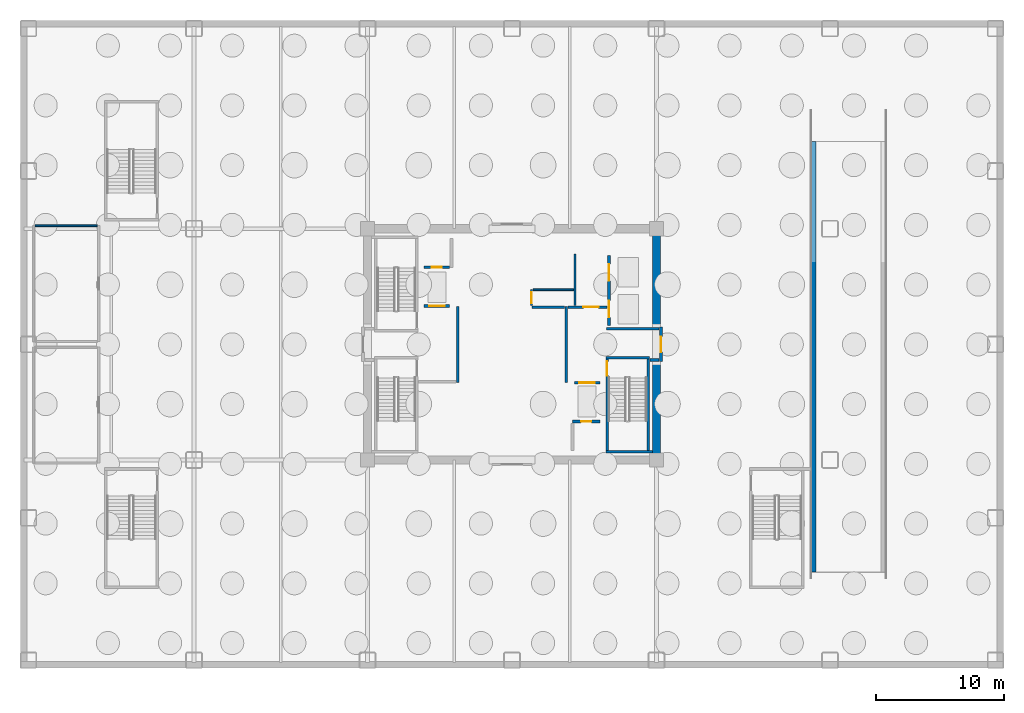
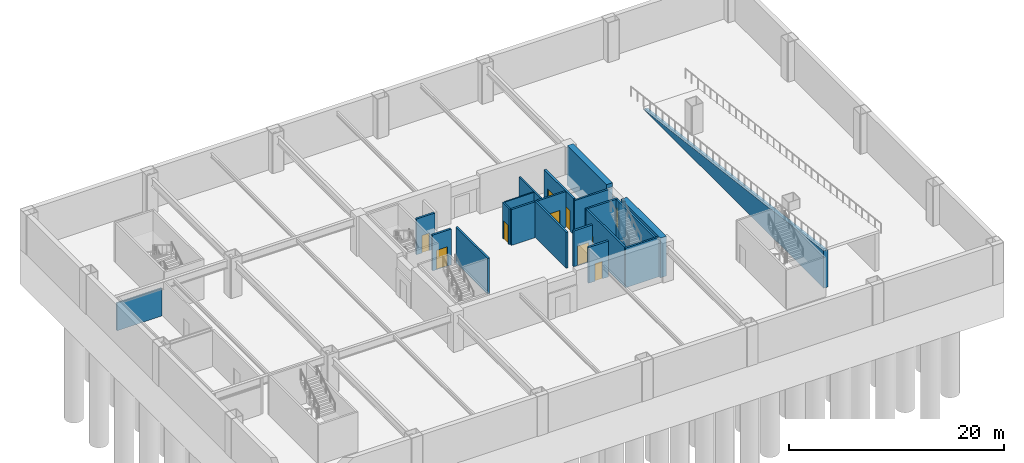
# One storey, part 5 of 11: 23 walls, 10 doors, 10 openings.
"""IFC4 building model written with IfcOpenShell, lengths in metres."""

from ifc_helpers import new_model, si_unit, direction, frame, frame_2d, origin, place, context, subcontext, project, spatial, polyline, rectangle, outline, extrude, source, transform, mapped, material, layer, layer_set, type_object, element, fill, save


model = new_model("IFC4")

# Units and contexts
model_context = context("Model", 3, precision=1e-05, world=origin(), true_north=direction((0.0, 1.0)))
body_context = subcontext(model_context, "Body", "Model", "MODEL_VIEW")
ifc_project = project(units=[si_unit("LENGTHUNIT", "METRE"), si_unit("AREAUNIT", "SQUARE_METRE"), si_unit("VOLUMEUNIT", "CUBIC_METRE"), si_unit("PLANEANGLEUNIT", "RADIAN"), si_unit("MASSUNIT", "GRAM", prefix="KILO")], contexts=[model_context])

# Site, building, storey
site_placement = place(None, origin())
site = spatial("IfcSite", under=ifc_project, at=site_placement, CompositionType="ELEMENT")
building_placement = place(site_placement, origin())
building = spatial("IfcBuilding", under=site, at=building_placement, Name="Nefas-Gora Pilgrimage Tower", CompositionType="ELEMENT")
storey_placement = place(building_placement, frame((0.0, 0.0, -9.0)))
storey = spatial("IfcBuildingStorey", under=building, at=storey_placement, Name="B02", CompositionType="ELEMENT", Elevation=-9.0)

# Walls
ifc_material_1 = material(Name="Concrete C45/55", Category="concrete")
ifc_layer_1 = layer(ifc_material_1, 0.449951171875)
ifc_layer_set_1 = layer_set([ifc_layer_1], Name="Concrete C45/55")
wall_type_1 = type_object("IfcWallType", Name="SW-RAMP-450", PredefinedType="SOLIDWALL", material=ifc_layer_set_1)
wall_1_placement = place(storey_placement, frame((23.449951171875, 15.800048828125, 0.0), z_axis=(0.0, 0.0, 1.0), x_axis=(0.0, -1.0, 0.0)))
element("IfcWall", 1, at=wall_1_placement, inside=storey, type_object=wall_type_1, Name="B02-B01 Vehicle Ramp Support Cheek Wall W", PredefinedType="SOLIDWALL", context=body_context, shape_type="SweptSolid", body=[
    extrude(outline(polyline([(0.0, 0.0), (33.530029296875, 0.0), (33.530029296875, 4.25), (0.0, 0.02001953125), (0.0, 0.0)])), frame((0.0, 0.22509765625, 0.0), z_axis=(0.0, -1.0, 0.0), x_axis=(1.0, 0.0, 0.0)), (0.0, 0.0, 1.0), 0.449951171875),
])
ifc_material_2 = material(Name="Concrete C60/75", Category="concrete")
ifc_layer_2 = layer(ifc_material_2, 0.64990234375)
ifc_layer_set_2 = layer_set([ifc_layer_2], Name="Concrete C60/75")
wall_type_2 = type_object("IfcWallType", Name="SW-CORE-650", PredefinedType="SHEAR", material=ifc_layer_set_2)
shared_shape_1 = source(origin(), body_context, "Body", "SweptSolid", [
    extrude(rectangle(XDim=7.324951171875, YDim=0.64990234375, at=frame_2d((3.66259765625, 0.0))), origin(), (0.0, 0.0, 1.0), 4.5),
])
for number, where, z_axis, x_axis, name in (
    (2, (11.25, -8.675048828125, 0.0), (0.0, 0.0, 1.0), (0.0, 1.0, 0.0), "B02 Core Shear Wall E-South"),
    (3, (11.25, 1.35009765625, 0.0), (0.0, 0.0, 1.0), (0.0, 1.0, 0.0), "B02 Core Shear Wall E-North"),
):
    element("IfcWall", number, at=place(storey_placement, frame(where, z_axis=z_axis, x_axis=x_axis)), inside=storey, type_object=wall_type_2, Name=name, PredefinedType="SHEAR", context=body_context, shape_type="MappedRepresentation", body=[
        mapped(shared_shape_1, transform((0.0, 0.0, 0.0), x_axis=(1.0, 0.0, 0.0), y_axis=(0.0, 1.0, 0.0), z_axis=(0.0, 0.0, 1.0), scale=1.0)),
    ])
ifc_layer_3 = layer(ifc_material_1, 0.199951171875)
ifc_layer_set_3 = layer_set([ifc_layer_3], Name="Concrete C45/55")
wall_type_3 = type_object("IfcWallType", Name="IW-STAIR-200", PredefinedType="SOLIDWALL", material=ifc_layer_set_3)
shared_shape_2 = source(origin(), body_context, "Body", "SweptSolid", [
    extrude(rectangle(XDim=3.39990234375, YDim=0.199951171875, at=frame_2d((1.699951171875, 0.0))), origin(), (0.0, 0.0, 1.0), 4.5),
])
wall_2_placement = place(storey_placement, frame((7.300048828125, -1.050048828125, 0.0), z_axis=(0.0, 0.0, 1.0), x_axis=(1.0, 0.0, 0.0)))
element("IfcWall", 4, at=wall_2_placement, inside=storey, type_object=wall_type_3, Name="B02 Stairwell Shear Wall ST-02-near", PredefinedType="SOLIDWALL", context=body_context, shape_type="MappedRepresentation", body=[
    mapped(shared_shape_2, transform((0.0, 0.0, 0.0), x_axis=(1.0, 0.0, 0.0), y_axis=(0.0, 1.0, 0.0), z_axis=(0.0, 0.0, 1.0), scale=1.0)),
])
shared_shape_3 = source(origin(), body_context, "Body", "SweptSolid", [
    extrude(rectangle(XDim=3.6298828125, YDim=0.199951171875, at=frame_2d((1.81494140625, 0.0))), origin(), (0.0, 0.0, 1.0), 4.5),
])
wall_3_placement = place(storey_placement, frame((7.300048828125, -8.35009765625, 0.0), z_axis=(0.0, 0.0, 1.0), x_axis=(1.0, 0.0, 0.0)))
element("IfcWall", 5, at=wall_3_placement, inside=storey, type_object=wall_type_3, Name="B02 Stairwell Shear Wall ST-02-far", PredefinedType="SOLIDWALL", context=body_context, shape_type="MappedRepresentation", body=[
    mapped(shared_shape_3, transform((0.0, 0.0, 0.0), x_axis=(1.0, 0.0, 0.0), y_axis=(0.0, 1.0, 0.0), z_axis=(0.0, 0.0, 1.0), scale=1.0)),
])

# Wall, opening, door
shared_shape_4 = source(origin(), body_context, "Body", "SweptSolid", [
    extrude(rectangle(XDim=7.10009765625, YDim=0.199951171875, at=frame_2d((3.550048828125, 0.0))), origin(), (0.0, 0.0, 1.0), 4.5),
])
wall_4_placement = place(storey_placement, frame((7.39990234375, -1.14990234375, 0.0), z_axis=(0.0, 0.0, 1.0), x_axis=(0.0, -1.0, 0.0)))
wall_4 = element("IfcWall", 6, at=wall_4_placement, inside=storey, type_object=wall_type_3, Name="B02 Stairwell Shear Wall ST-02-left", PredefinedType="SOLIDWALL", context=body_context, shape_type="MappedRepresentation", body=[
    mapped(shared_shape_4, transform((0.0, 0.0, 0.0), x_axis=(1.0, 0.0, 0.0), y_axis=(0.0, 1.0, 0.0), z_axis=(0.0, 0.0, 1.0), scale=1.0)),
])
opening_1_placement = place(wall_4_placement, frame((0.179931640625, 0.0, 0.0)))
opening_1 = element("IfcOpeningElement", 7, at=opening_1_placement, cuts=wall_4, Name="Opening ID-ST1", PredefinedType="OPENING", context=body_context, shape_type="SweptSolid", body=[
    extrude(rectangle(XDim=1.10009765625, YDim=2.14990234375, at=frame_2d((0.550048828125, 1.074951171875))), frame((0.0, 0.10986328125, 0.0), z_axis=(0.0, -1.0, 0.0), x_axis=(1.0, 0.0, 0.0)), (0.0, 0.0, 1.0), 0.219970703125),
])
ifc_material_3 = material(Name="Painted galvanised steel fire stair door", Category="steel")
door_type_1 = type_object("IfcDoorType", Name="DR-INT-STAIR-1100", OperationType="NOTDEFINED", PredefinedType="DOOR", material=ifc_material_3)
shared_shape_5 = source(origin(), body_context, "Body", "SweptSolid", [
    extrude(rectangle(XDim=1.10009765625, YDim=2.14990234375, at=frame_2d((0.550048828125, 1.074951171875))), frame((0.0, 0.02490234375, 0.0), z_axis=(0.0, -1.0, 0.0), x_axis=(1.0, 0.0, 0.0)), (0.0, 0.0, 1.0), 0.050048828125),
])
door_1_placement = place(opening_1_placement, origin())
door_1 = element("IfcDoor", 8, at=door_1_placement, inside=storey, type_object=door_type_1, Name="B02 Protected Exit Stair Door ST-02", OperationType="SINGLE_SWING_LEFT", OverallHeight=2.14990234375, OverallWidth=1.10009765625, PredefinedType="DOOR", context=body_context, shape_type="MappedRepresentation", body=[
    mapped(shared_shape_5, transform((0.0, 0.0, 0.0), x_axis=(1.0, 0.0, 0.0), y_axis=(0.0, 1.0, 0.0), z_axis=(0.0, 0.0, 1.0), scale=1.0)),
])
fill(opening_1, door_1)

# Wall
wall_5_placement = place(storey_placement, frame((10.60009765625, -1.14990234375, 0.0), z_axis=(0.0, 0.0, 1.0), x_axis=(0.0, -1.0, 0.0)))
element("IfcWall", 9, at=wall_5_placement, inside=storey, type_object=wall_type_3, Name="B02 Stairwell Shear Wall ST-02-right", PredefinedType="SOLIDWALL", context=body_context, shape_type="MappedRepresentation", body=[
    mapped(shared_shape_4, transform((0.0, 0.0, 0.0), x_axis=(1.0, 0.0, 0.0), y_axis=(0.0, 1.0, 0.0), z_axis=(0.0, 0.0, 1.0), scale=1.0)),
])

# Wall, opening, door
ifc_material_4 = material(Name="Concrete C40/50", Category="concrete")
ifc_layer_4 = layer(ifc_material_4, 0.219970703125)
ifc_layer_set_4 = layer_set([ifc_layer_4], Name="Concrete C40/50")
wall_type_4 = type_object("IfcWallType", Name="IW-SHAFT-220", PredefinedType="SOLIDWALL", material=ifc_layer_set_4)
shared_shape_6 = source(origin(), body_context, "Body", "SweptSolid", [
    extrude(rectangle(XDim=2.0, YDim=0.219970703125, at=frame_2d((1.0, 0.0))), origin(), (0.0, 0.0, 1.0), 4.06494140625),
])
wall_6_placement = place(storey_placement, frame((-6.85009765625, 2.989990234375, 0.0), z_axis=(0.0, 0.0, 1.0), x_axis=(1.0, 0.0, 0.0)))
wall_6 = element("IfcWall", 10, at=wall_6_placement, inside=storey, type_object=wall_type_4, Name="B02 Hoistway Wall FFL-01-S", PredefinedType="SOLIDWALL", context=body_context, shape_type="MappedRepresentation", body=[
    mapped(shared_shape_6, transform((0.0, 0.0, 0.0), x_axis=(1.0, 0.0, 0.0), y_axis=(0.0, 1.0, 0.0), z_axis=(0.0, 0.0, 1.0), scale=1.0)),
])
opening_2_placement = place(wall_6_placement, frame((0.39990234375, 0.0, 0.0)))
opening_2 = element("IfcOpeningElement", 11, at=opening_2_placement, cuts=wall_6, Name="Opening LD-FF", PredefinedType="OPENING", context=body_context, shape_type="SweptSolid", body=[
    extrude(rectangle(XDim=1.199951171875, YDim=2.199951171875, at=frame_2d((0.60009765625, 1.10009765625))), frame((0.0, 0.119873046875, 0.0), z_axis=(0.0, -1.0, 0.0), x_axis=(1.0, 0.0, 0.0)), (0.0, 0.0, 1.0), 0.239990234375),
])
ifc_material_5 = material(Name="Fire-service sliding lift landing door")
door_type_2 = type_object("IfcDoorType", Name="DR-LIFT-FSAE-1200", OperationType="SLIDING_TO_LEFT", PredefinedType="DOOR", material=ifc_material_5)
shared_shape_7 = source(origin(), body_context, "Body", "SweptSolid", [
    extrude(rectangle(XDim=1.199951171875, YDim=2.199951171875, at=frame_2d((0.60009765625, 1.10009765625))), frame((0.0, 0.02490234375, 0.0), z_axis=(0.0, -1.0, 0.0), x_axis=(1.0, 0.0, 0.0)), (0.0, 0.0, 1.0), 0.050048828125),
])
door_2_placement = place(opening_2_placement, origin())
door_2 = element("IfcDoor", 12, at=door_2_placement, inside=storey, type_object=door_type_2, Name="B02 Sliding Lift Landing Door FFL-01", OperationType="SLIDING_TO_LEFT", OverallHeight=2.199951171875, OverallWidth=1.199951171875, PredefinedType="DOOR", context=body_context, shape_type="MappedRepresentation", body=[
    mapped(shared_shape_7, transform((0.0, 0.0, 0.0), x_axis=(1.0, 0.0, 0.0), y_axis=(0.0, 1.0, 0.0), z_axis=(0.0, 0.0, 1.0), scale=1.0)),
])
fill(opening_2, door_2)

wall_7_placement = place(storey_placement, frame((6.85009765625, -2.989990234375, 0.0), z_axis=(0.0, 0.0, 1.0), x_axis=(-1.0, 0.0, 0.0)))
wall_7 = element("IfcWall", 13, at=wall_7_placement, inside=storey, type_object=wall_type_4, Name="B02 Hoistway Wall FFL-02-N", PredefinedType="SOLIDWALL", context=body_context, shape_type="MappedRepresentation", body=[
    mapped(shared_shape_6, transform((0.0, 0.0, 0.0), x_axis=(1.0, 0.0, 0.0), y_axis=(0.0, 1.0, 0.0), z_axis=(0.0, 0.0, 1.0), scale=1.0)),
])
opening_3_placement = place(wall_7_placement, frame((0.39990234375, 0.0, 0.0)))
opening_3 = element("IfcOpeningElement", 14, at=opening_3_placement, cuts=wall_7, Name="Opening LD-FF", PredefinedType="OPENING", context=body_context, shape_type="SweptSolid", body=[
    extrude(rectangle(XDim=1.199951171875, YDim=2.199951171875, at=frame_2d((0.60009765625, 1.10009765625))), frame((0.0, 0.119873046875, 0.0), z_axis=(0.0, -1.0, 0.0), x_axis=(1.0, 0.0, 0.0)), (0.0, 0.0, 1.0), 0.239990234375),
])
door_3_placement = place(opening_3_placement, origin())
door_3 = element("IfcDoor", 15, at=door_3_placement, inside=storey, type_object=door_type_2, Name="B02 Sliding Lift Landing Door FFL-02", OperationType="SLIDING_TO_LEFT", OverallHeight=2.199951171875, OverallWidth=1.199951171875, PredefinedType="DOOR", context=body_context, shape_type="MappedRepresentation", body=[
    mapped(shared_shape_7, transform((0.0, 0.0, 0.0), x_axis=(1.0, 0.0, 0.0), y_axis=(0.0, 1.0, 0.0), z_axis=(0.0, 0.0, 1.0), scale=1.0)),
])
fill(opening_3, door_3)

# Wall, openings, doors
shared_shape_8 = source(origin(), body_context, "Body", "SweptSolid", [
    extrude(rectangle(XDim=5.449951171875, YDim=0.219970703125, at=frame_2d((2.72509765625, 0.0))), origin(), (0.0, 0.0, 1.0), 4.06494140625),
])
wall_8_placement = place(storey_placement, frame((7.5400390625, 6.89990234375, 0.0), z_axis=(0.0, 0.0, 1.0), x_axis=(0.0, -1.0, 0.0)))
wall_8 = element("IfcWall", 16, at=wall_8_placement, inside=storey, type_object=wall_type_4, Name="B02 Hoistway Wall SL-01-02-W", PredefinedType="SOLIDWALL", context=body_context, shape_type="MappedRepresentation", body=[
    mapped(shared_shape_8, transform((0.0, 0.0, 0.0), x_axis=(1.0, 0.0, 0.0), y_axis=(0.0, 1.0, 0.0), z_axis=(0.0, 0.0, 1.0), scale=1.0)),
])
opening_4_placement = place(wall_8_placement, frame((3.5, 0.0, 0.0)))
opening_4 = element("IfcOpeningElement", 17, at=opening_4_placement, cuts=wall_8, Name="Opening LD-SV", PredefinedType="OPENING", context=body_context, shape_type="SweptSolid", body=[
    extrude(rectangle(XDim=1.300048828125, YDim=2.300048828125, at=frame_2d((0.64990234375, 1.14990234375))), frame((0.0, 0.119873046875, 0.0), z_axis=(0.0, -1.0, 0.0), x_axis=(1.0, 0.0, 0.0)), (0.0, 0.0, 1.0), 0.239990234375),
])
opening_5_placement = place(wall_8_placement, frame((0.64990234375, 0.0, 0.0)))
opening_5 = element("IfcOpeningElement", 18, at=opening_5_placement, cuts=wall_8, Name="Opening LD-SV", PredefinedType="OPENING", context=body_context, shape_type="SweptSolid", body=[
    extrude(rectangle(XDim=1.300048828125, YDim=2.300048828125, at=frame_2d((0.64990234375, 1.14990234375))), frame((0.0, 0.119873046875, 0.0), z_axis=(0.0, -1.0, 0.0), x_axis=(1.0, 0.0, 0.0)), (0.0, 0.0, 1.0), 0.239990234375),
])
ifc_material_6 = material(Name="Heavy goods sliding lift landing door")
door_type_3 = type_object("IfcDoorType", Name="DR-LIFT-SERV-1300", OperationType="SLIDING_TO_RIGHT", PredefinedType="DOOR", material=ifc_material_6)
shared_shape_9 = source(origin(), body_context, "Body", "SweptSolid", [
    extrude(rectangle(XDim=1.300048828125, YDim=2.300048828125, at=frame_2d((0.64990234375, 1.14990234375))), frame((0.0, 0.02490234375, 0.0), z_axis=(0.0, -1.0, 0.0), x_axis=(1.0, 0.0, 0.0)), (0.0, 0.0, 1.0), 0.050048828125),
])
door_4_placement = place(opening_4_placement, origin())
door_4 = element("IfcDoor", 19, at=door_4_placement, inside=storey, type_object=door_type_3, Name="B02 Sliding Lift Landing Door SL-01", OperationType="SLIDING_TO_RIGHT", OverallHeight=2.300048828125, OverallWidth=1.300048828125, PredefinedType="DOOR", context=body_context, shape_type="MappedRepresentation", body=[
    mapped(shared_shape_9, transform((0.0, 0.0, 0.0), x_axis=(1.0, 0.0, 0.0), y_axis=(0.0, 1.0, 0.0), z_axis=(0.0, 0.0, 1.0), scale=1.0)),
])
fill(opening_4, door_4)
door_5_placement = place(opening_5_placement, origin())
door_5 = element("IfcDoor", 20, at=door_5_placement, inside=storey, type_object=door_type_3, Name="B02 Sliding Lift Landing Door SL-02", OperationType="SLIDING_TO_RIGHT", OverallHeight=2.300048828125, OverallWidth=1.300048828125, PredefinedType="DOOR", context=body_context, shape_type="MappedRepresentation", body=[
    mapped(shared_shape_9, transform((0.0, 0.0, 0.0), x_axis=(1.0, 0.0, 0.0), y_axis=(0.0, 1.0, 0.0), z_axis=(0.0, 0.0, 1.0), scale=1.0)),
])
fill(opening_5, door_5)

# Wall, opening, door
shared_shape_10 = source(origin(), body_context, "Body", "SweptSolid", [
    extrude(rectangle(XDim=1.97998046875, YDim=0.219970703125, at=frame_2d((0.989990234375, 0.0))), origin(), (0.0, 0.0, 1.0), 4.06494140625),
])
wall_9_placement = place(storey_placement, frame((-6.85009765625, 6.0, 0.0), z_axis=(0.0, 0.0, 1.0), x_axis=(1.0, 0.0, 0.0)))
wall_9 = element("IfcWall", 21, at=wall_9_placement, inside=storey, type_object=wall_type_4, Name="B02 Riser Shaft Wall 2", PredefinedType="SOLIDWALL", context=body_context, shape_type="MappedRepresentation", body=[
    mapped(shared_shape_10, transform((0.0, 0.0, 0.0), x_axis=(1.0, 0.0, 0.0), y_axis=(0.0, 1.0, 0.0), z_axis=(0.0, 0.0, 1.0), scale=1.0)),
])
opening_6_placement = place(wall_9_placement, frame((0.590087890625, 0.0, 0.0)))
opening_6 = element("IfcOpeningElement", 22, at=opening_6_placement, cuts=wall_9, Name="Opening ID-TR1", PredefinedType="OPENING", context=body_context, shape_type="SweptSolid", body=[
    extrude(rectangle(XDim=0.800048828125, YDim=2.0, at=frame_2d((0.39990234375, 1.0))), frame((0.0, 0.119873046875, 0.0), z_axis=(0.0, -1.0, 0.0), x_axis=(1.0, 0.0, 0.0)), (0.0, 0.0, 1.0), 0.239990234375),
])
ifc_material_7 = material(Name="Riser maintenance fire access door")
door_type_4 = type_object("IfcDoorType", Name="DR-INT-TRAP-800", OperationType="NOTDEFINED", PredefinedType="TRAPDOOR", material=ifc_material_7)
shared_shape_11 = source(origin(), body_context, "Body", "SweptSolid", [
    extrude(rectangle(XDim=0.800048828125, YDim=2.0, at=frame_2d((0.39990234375, 1.0))), frame((0.0, 0.02490234375, 0.0), z_axis=(0.0, -1.0, 0.0), x_axis=(1.0, 0.0, 0.0)), (0.0, 0.0, 1.0), 0.050048828125),
])
door_6_placement = place(opening_6_placement, origin())
door_6 = element("IfcDoor", 23, at=door_6_placement, inside=storey, type_object=door_type_4, Name="B02 Riser Shaft Door 1", OperationType="SINGLE_SWING_RIGHT", OverallHeight=2.0, OverallWidth=0.800048828125, PredefinedType="TRAPDOOR", context=body_context, shape_type="MappedRepresentation", body=[
    mapped(shared_shape_11, transform((0.0, 0.0, 0.0), x_axis=(1.0, 0.0, 0.0), y_axis=(0.0, 1.0, 0.0), z_axis=(0.0, 0.0, 1.0), scale=1.0)),
])
fill(opening_6, door_6)

shared_shape_12 = source(origin(), body_context, "Body", "SweptSolid", [
    extrude(rectangle(XDim=2.130126953125, YDim=0.219970703125, at=frame_2d((1.06494140625, 0.0))), origin(), (0.0, 0.0, 1.0), 4.06494140625),
])
wall_10_placement = place(storey_placement, frame((4.719970703125, -6.0, 0.0), z_axis=(0.0, 0.0, 1.0), x_axis=(1.0, 0.0, 0.0)))
wall_10 = element("IfcWall", 24, at=wall_10_placement, inside=storey, type_object=wall_type_4, Name="B02 Riser Shaft Wall 3", PredefinedType="SOLIDWALL", context=body_context, shape_type="MappedRepresentation", body=[
    mapped(shared_shape_12, transform((0.0, 0.0, 0.0), x_axis=(1.0, 0.0, 0.0), y_axis=(0.0, 1.0, 0.0), z_axis=(0.0, 0.0, 1.0), scale=1.0)),
])
opening_7_placement = place(wall_10_placement, frame((0.6650390625, 0.0, 0.0)))
opening_7 = element("IfcOpeningElement", 25, at=opening_7_placement, cuts=wall_10, Name="Opening ID-TR1", PredefinedType="OPENING", context=body_context, shape_type="SweptSolid", body=[
    extrude(rectangle(XDim=0.800048828125, YDim=2.0, at=frame_2d((0.39990234375, 1.0))), frame((0.0, 0.119873046875, 0.0), z_axis=(0.0, -1.0, 0.0), x_axis=(1.0, 0.0, 0.0)), (0.0, 0.0, 1.0), 0.239990234375),
])
door_7_placement = place(opening_7_placement, origin())
door_7 = element("IfcDoor", 26, at=door_7_placement, inside=storey, type_object=door_type_4, Name="B02 Riser Shaft Door 2", OperationType="SINGLE_SWING_LEFT", OverallHeight=2.0, OverallWidth=0.800048828125, PredefinedType="TRAPDOOR", context=body_context, shape_type="MappedRepresentation", body=[
    mapped(shared_shape_11, transform((0.0, 0.0, 0.0), x_axis=(1.0, 0.0, 0.0), y_axis=(0.0, 1.0, 0.0), z_axis=(0.0, 0.0, 1.0), scale=1.0)),
])
fill(opening_7, door_7)

ifc_material_8 = material(Name="Gypsum fire-rated shaftwall")
ifc_layer_5 = layer(ifc_material_8, 0.199951171875)
ifc_layer_set_5 = layer_set([ifc_layer_5], Name="Gypsum fire-rated shaftwall")
wall_type_5 = type_object("IfcWallType", Name="IW-FFLOB-200", PredefinedType="PARTITIONING", material=ifc_layer_set_5)
shared_shape_13 = source(origin(), body_context, "Body", "SweptSolid", [
    extrude(rectangle(XDim=2.7001953125, YDim=0.199951171875, at=frame_2d((1.35009765625, 0.0))), origin(), (0.0, 0.0, 1.0), 2.955078125),
])
wall_11_placement = place(storey_placement, frame((11.60009765625, -1.35009765625, 0.0), z_axis=(0.0, 0.0, 1.0), x_axis=(0.0, 1.0, 0.0)))
wall_11 = element("IfcWall", 27, at=wall_11_placement, inside=storey, type_object=wall_type_5, Name="B02 FF Lobby East Portal Wall 10", PredefinedType="PARTITIONING", context=body_context, shape_type="MappedRepresentation", body=[
    mapped(shared_shape_13, transform((0.0, 0.0, 0.0), x_axis=(1.0, 0.0, 0.0), y_axis=(0.0, 1.0, 0.0), z_axis=(0.0, 0.0, 1.0), scale=1.0)),
])
opening_8_placement = place(wall_11_placement, frame((0.75, 0.0, 0.0)))
opening_8 = element("IfcOpeningElement", 28, at=opening_8_placement, cuts=wall_11, Name="Opening ID-FF1", PredefinedType="OPENING", context=body_context, shape_type="SweptSolid", body=[
    extrude(rectangle(XDim=1.199951171875, YDim=2.14990234375, at=frame_2d((0.60009765625, 1.074951171875))), frame((0.0, 0.10986328125, 0.0), z_axis=(0.0, -1.0, 0.0), x_axis=(1.0, 0.0, 0.0)), (0.0, 0.0, 1.0), 0.219970703125),
])
ifc_material_9 = material(Name="Smoke-sealed steel firefighting lobby door", Category="steel")
door_type_5 = type_object("IfcDoorType", Name="DR-INT-FFLOB-1200", OperationType="NOTDEFINED", PredefinedType="DOOR", material=ifc_material_9)
shared_shape_14 = source(origin(), body_context, "Body", "SweptSolid", [
    extrude(rectangle(XDim=1.199951171875, YDim=2.14990234375, at=frame_2d((0.60009765625, 1.074951171875))), frame((0.0, 0.02490234375, 0.0), z_axis=(0.0, -1.0, 0.0), x_axis=(1.0, 0.0, 0.0)), (0.0, 0.0, 1.0), 0.050048828125),
])
door_8_placement = place(opening_8_placement, origin())
door_8 = element("IfcDoor", 29, at=door_8_placement, inside=storey, type_object=door_type_5, Name="B02 FF Lobby East Portal Door 4", OperationType="SINGLE_SWING_LEFT", OverallHeight=2.14990234375, OverallWidth=1.199951171875, PredefinedType="DOOR", context=body_context, shape_type="MappedRepresentation", body=[
    mapped(shared_shape_14, transform((0.0, 0.0, 0.0), x_axis=(1.0, 0.0, 0.0), y_axis=(0.0, 1.0, 0.0), z_axis=(0.0, 0.0, 1.0), scale=1.0)),
])
fill(opening_8, door_8)

# Walls
shared_shape_15 = source(origin(), body_context, "Body", "SweptSolid", [
    extrude(rectangle(XDim=5.89990234375, YDim=0.199951171875, at=frame_2d((2.949951171875, 0.0))), origin(), (0.0, 0.0, 1.0), 4.06494140625),
])
for number, where, z_axis, x_axis, name in (
    (30, (-4.219970703125, -2.949951171875, 0.0), (0.0, 0.0, 1.0), (0.0, 1.0, 0.0), "B02 FF Lobby West Inner Wall Wall 6"),
    (31, (4.219970703125, -2.949951171875, 0.0), (0.0, 0.0, 1.0), (0.0, 1.0, 0.0), "B02 FF Lobby East Inner Wall Wall 11"),
):
    element("IfcWall", number, at=place(storey_placement, frame(where, z_axis=z_axis, x_axis=x_axis)), inside=storey, type_object=wall_type_5, Name=name, PredefinedType="PARTITIONING", context=body_context, shape_type="MappedRepresentation", body=[
        mapped(shared_shape_15, transform((0.0, 0.0, 0.0), x_axis=(1.0, 0.0, 0.0), y_axis=(0.0, 1.0, 0.0), z_axis=(0.0, 0.0, 1.0), scale=1.0)),
    ])
shared_shape_16 = source(origin(), body_context, "Body", "SweptSolid", [
    extrude(rectangle(XDim=0.719970703125, YDim=0.199951171875, at=frame_2d((0.35986328125, 0.0))), origin(), (0.0, 0.0, 1.0), 4.06494140625),
])
wall_12_placement = place(storey_placement, frame((10.739990234375, -1.219970703125, 0.0), z_axis=(0.0, 0.0, 1.0), x_axis=(1.0, 0.0, 0.0)))
element("IfcWall", 32, at=wall_12_placement, inside=storey, type_object=wall_type_5, Name="B02 FF Lobby East Throat S Wall 15", PredefinedType="PARTITIONING", context=body_context, shape_type="MappedRepresentation", body=[
    mapped(shared_shape_16, transform((0.0, 0.0, 0.0), x_axis=(1.0, 0.0, 0.0), y_axis=(0.0, 1.0, 0.0), z_axis=(0.0, 0.0, 1.0), scale=1.0)),
])
shared_shape_17 = source(origin(), body_context, "Body", "SweptSolid", [
    extrude(rectangle(XDim=2.52001953125, YDim=0.199951171875, at=frame_2d((1.260009765625, 0.0))), origin(), (0.0, 0.0, 1.0), 4.06494140625),
])
wall_13_placement = place(storey_placement, frame((1.56005859375, 2.89990234375, 0.0), z_axis=(0.0, 0.0, 1.0), x_axis=(1.0, 0.0, 0.0)))
element("IfcWall", 33, at=wall_13_placement, inside=storey, type_object=wall_type_5, Name="B02 FF Lobby East North Wall Wall 12", PredefinedType="PARTITIONING", context=body_context, shape_type="MappedRepresentation", body=[
    mapped(shared_shape_17, transform((0.0, 0.0, 0.0), x_axis=(1.0, 0.0, 0.0), y_axis=(0.0, 1.0, 0.0), z_axis=(0.0, 0.0, 1.0), scale=1.0)),
])

# Wall, opening, door
shared_shape_18 = source(origin(), body_context, "Body", "SweptSolid", [
    extrude(rectangle(XDim=3.039794921875, YDim=0.199951171875, at=frame_2d((1.52001953125, 0.0))), origin(), (0.0, 0.0, 1.0), 4.06494140625),
])
wall_14_placement = place(storey_placement, frame((4.360107421875, 2.89990234375, 0.0), z_axis=(0.0, 0.0, 1.0), x_axis=(1.0, 0.0, 0.0)))
wall_14 = element("IfcWall", 34, at=wall_14_placement, inside=storey, type_object=wall_type_5, Name="B02 FF Lobby East North Wall Wall 13", PredefinedType="PARTITIONING", context=body_context, shape_type="MappedRepresentation", body=[
    mapped(shared_shape_18, transform((0.0, 0.0, 0.0), x_axis=(1.0, 0.0, 0.0), y_axis=(0.0, 1.0, 0.0), z_axis=(0.0, 0.0, 1.0), scale=1.0)),
])
opening_9_placement = place(wall_14_placement, frame((1.18994140625, 0.0, 0.0)))
opening_9 = element("IfcOpeningElement", 35, at=opening_9_placement, cuts=wall_14, Name="Opening ID-PL1", PredefinedType="OPENING", context=body_context, shape_type="SweptSolid", body=[
    extrude(rectangle(XDim=1.199951171875, YDim=2.14990234375, at=frame_2d((0.60009765625, 1.074951171875))), frame((0.0, 0.10986328125, 0.0), z_axis=(0.0, -1.0, 0.0), x_axis=(1.0, 0.0, 0.0)), (0.0, 0.0, 1.0), 0.219970703125),
])
ifc_material_10 = material(Name="Heavy-duty steel plant room fire door", Category="steel")
door_type_6 = type_object("IfcDoorType", Name="DR-INT-PLANT-1200", OperationType="NOTDEFINED", PredefinedType="DOOR", material=ifc_material_10)
door_9_placement = place(opening_9_placement, origin())
door_9 = element("IfcDoor", 36, at=door_9_placement, inside=storey, type_object=door_type_6, Name="B02 Service Lift Lobby Door Door 5", OperationType="SINGLE_SWING_RIGHT", OverallHeight=2.14990234375, OverallWidth=1.199951171875, PredefinedType="DOOR", context=body_context, shape_type="MappedRepresentation", body=[
    mapped(shared_shape_14, transform((0.0, 0.0, 0.0), x_axis=(1.0, 0.0, 0.0), y_axis=(0.0, 1.0, 0.0), z_axis=(0.0, 0.0, 1.0), scale=1.0)),
])
fill(opening_9, door_9)

# Walls
shared_shape_19 = source(origin(), body_context, "Body", "SweptSolid", [
    extrude(rectangle(XDim=4.10986328125, YDim=0.199951171875, at=frame_2d((2.054931640625, 0.0))), origin(), (0.0, 0.0, 1.0), 4.06494140625),
])
wall_15_placement = place(storey_placement, frame((7.35009765625, 1.219970703125, 0.0), z_axis=(0.0, 0.0, 1.0), x_axis=(1.0, 0.0, 0.0)))
element("IfcWall", 37, at=wall_15_placement, inside=storey, type_object=wall_type_5, Name="B02 FF Lobby East Throat N Wall 14", PredefinedType="PARTITIONING", context=body_context, shape_type="MappedRepresentation", body=[
    mapped(shared_shape_19, transform((0.0, 0.0, 0.0), x_axis=(1.0, 0.0, 0.0), y_axis=(0.0, 1.0, 0.0), z_axis=(0.0, 0.0, 1.0), scale=1.0)),
])
ifc_material_11 = material(Name="Gypsum acoustic stud partition")
ifc_layer_6 = layer(ifc_material_11, 0.159912109375)
ifc_layer_set_6 = layer_set([ifc_layer_6], Name="Gypsum acoustic stud partition")
wall_type_6 = type_object("IfcWallType", Name="IW-CORR-160", PredefinedType="PARTITIONING", material=ifc_layer_set_6)
shared_shape_20 = source(origin(), body_context, "Body", "SweptSolid", [
    extrude(rectangle(XDim=4.010009765625, YDim=0.159912109375, at=frame_2d((2.0048828125, 0.0))), origin(), (0.0, 0.0, 1.0), 4.06494140625),
])
wall_16_placement = place(storey_placement, frame((4.919921875, 3.0400390625, 0.0), z_axis=(0.0, 0.0, 1.0), x_axis=(0.0, 1.0, 0.0)))
element("IfcWall", 38, at=wall_16_placement, inside=storey, type_object=wall_type_6, Name="B02 Service Lift Lobby West Wall Wall 18", PredefinedType="PARTITIONING", context=body_context, shape_type="MappedRepresentation", body=[
    mapped(shared_shape_20, transform((0.0, 0.0, 0.0), x_axis=(1.0, 0.0, 0.0), y_axis=(0.0, 1.0, 0.0), z_axis=(0.0, 0.0, 1.0), scale=1.0)),
])

# Wall, opening, door
shared_shape_21 = source(origin(), body_context, "Body", "SweptSolid", [
    extrude(rectangle(XDim=1.25, YDim=0.159912109375, at=frame_2d((0.625, 0.0))), origin(), (0.0, 0.0, 1.0), 4.06494140625),
])
wall_17_placement = place(storey_placement, frame((1.52001953125, 3.010009765625, 0.0), z_axis=(0.0, 0.0, 1.0), x_axis=(0.0, 1.0, 0.0)))
wall_17 = element("IfcWall", 39, at=wall_17_placement, inside=storey, type_object=wall_type_6, Name="B02 Core Communications Room Wall 19", PredefinedType="PARTITIONING", context=body_context, shape_type="MappedRepresentation", body=[
    mapped(shared_shape_21, transform((0.0, 0.0, 0.0), x_axis=(1.0, 0.0, 0.0), y_axis=(0.0, 1.0, 0.0), z_axis=(0.0, 0.0, 1.0), scale=1.0)),
])
opening_10_placement = place(wall_17_placement, frame((0.199951171875, 0.0, 0.0)))
opening_10 = element("IfcOpeningElement", 40, at=opening_10_placement, cuts=wall_17, Name="Opening ID-BT1", PredefinedType="OPENING", context=body_context, shape_type="SweptSolid", body=[
    extrude(rectangle(XDim=0.85009765625, YDim=2.10009765625, at=frame_2d((0.425048828125, 1.050048828125))), frame((0.0, 0.08984375, 0.0), z_axis=(0.0, -1.0, 0.0), x_axis=(1.0, 0.0, 0.0)), (0.0, 0.0, 1.0), 0.179931640625),
])
ifc_material_12 = material(Name="Moisture-resistant fire-rated timber door", Category="wood")
door_type_7 = type_object("IfcDoorType", Name="DR-INT-BATH-850", OperationType="NOTDEFINED", PredefinedType="DOOR", material=ifc_material_12)
shared_shape_22 = source(origin(), body_context, "Body", "SweptSolid", [
    extrude(rectangle(XDim=0.85009765625, YDim=2.10009765625, at=frame_2d((0.425048828125, 1.050048828125))), frame((0.0, 0.02490234375, 0.0), z_axis=(0.0, -1.0, 0.0), x_axis=(1.0, 0.0, 0.0)), (0.0, 0.0, 1.0), 0.050048828125),
])
door_10_placement = place(opening_10_placement, origin())
door_10 = element("IfcDoor", 41, at=door_10_placement, inside=storey, type_object=door_type_7, Name="B02 Core Communications Room Door 8", OperationType="SINGLE_SWING_LEFT", OverallHeight=2.10009765625, OverallWidth=0.85009765625, PredefinedType="DOOR", context=body_context, shape_type="MappedRepresentation", body=[
    mapped(shared_shape_22, transform((0.0, 0.0, 0.0), x_axis=(1.0, 0.0, 0.0), y_axis=(0.0, 1.0, 0.0), z_axis=(0.0, 0.0, 1.0), scale=1.0)),
])
fill(opening_10, door_10)

# Walls
ifc_material_13 = material(Name="Gypsum twin-stud partition")
ifc_layer_7 = layer(ifc_material_13, 0.139892578125)
ifc_layer_set_7 = layer_set([ifc_layer_7], Name="Gypsum twin-stud partition")
wall_type_7 = type_object("IfcWallType", Name="IW-UNIT-140", PredefinedType="PARTITIONING", material=ifc_layer_set_7)
shared_shape_23 = source(origin(), body_context, "Body", "SweptSolid", [
    extrude(rectangle(XDim=3.150146484375, YDim=0.139892578125, at=frame_2d((1.5751953125, 0.0))), origin(), (0.0, 0.0, 1.0), 4.06494140625),
])
wall_18_placement = place(storey_placement, frame((1.639892578125, 4.25, 0.0), z_axis=(0.0, 0.0, 1.0), x_axis=(1.0, 0.0, 0.0)))
element("IfcWall", 42, at=wall_18_placement, inside=storey, type_object=wall_type_7, Name="B02 Core Communications Room Partition Wall 20", PredefinedType="PARTITIONING", context=body_context, shape_type="MappedRepresentation", body=[
    mapped(shared_shape_23, transform((0.0, 0.0, 0.0), x_axis=(1.0, 0.0, 0.0), y_axis=(0.0, 1.0, 0.0), z_axis=(0.0, 0.0, 1.0), scale=1.0)),
])
shared_shape_24 = source(origin(), body_context, "Body", "SweptSolid", [
    extrude(rectangle(XDim=4.830078125, YDim=0.139892578125, at=frame_2d((2.4150390625, 0.0))), origin(), (0.0, 0.0, 1.0), 3.155029296875),
])
wall_19_placement = place(storey_placement, frame((-37.1201171875, 9.22998046875, 0.0), z_axis=(0.0, 0.0, 1.0), x_axis=(1.0, 0.0, 0.0)))
element("IfcWall", 43, at=wall_19_placement, inside=storey, type_object=wall_type_7, Name="B02 Maintenance Spare Parts Store Partition Wall 28", PredefinedType="PARTITIONING", context=body_context, shape_type="MappedRepresentation", body=[
    mapped(shared_shape_24, transform((0.0, 0.0, 0.0), x_axis=(1.0, 0.0, 0.0), y_axis=(0.0, 1.0, 0.0), z_axis=(0.0, 0.0, 1.0), scale=1.0)),
])

save(model, "model.ifc")
